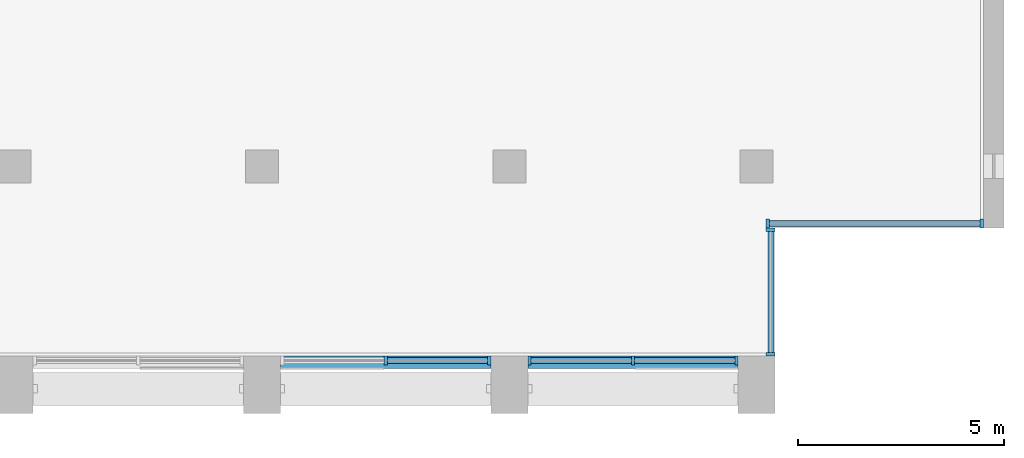
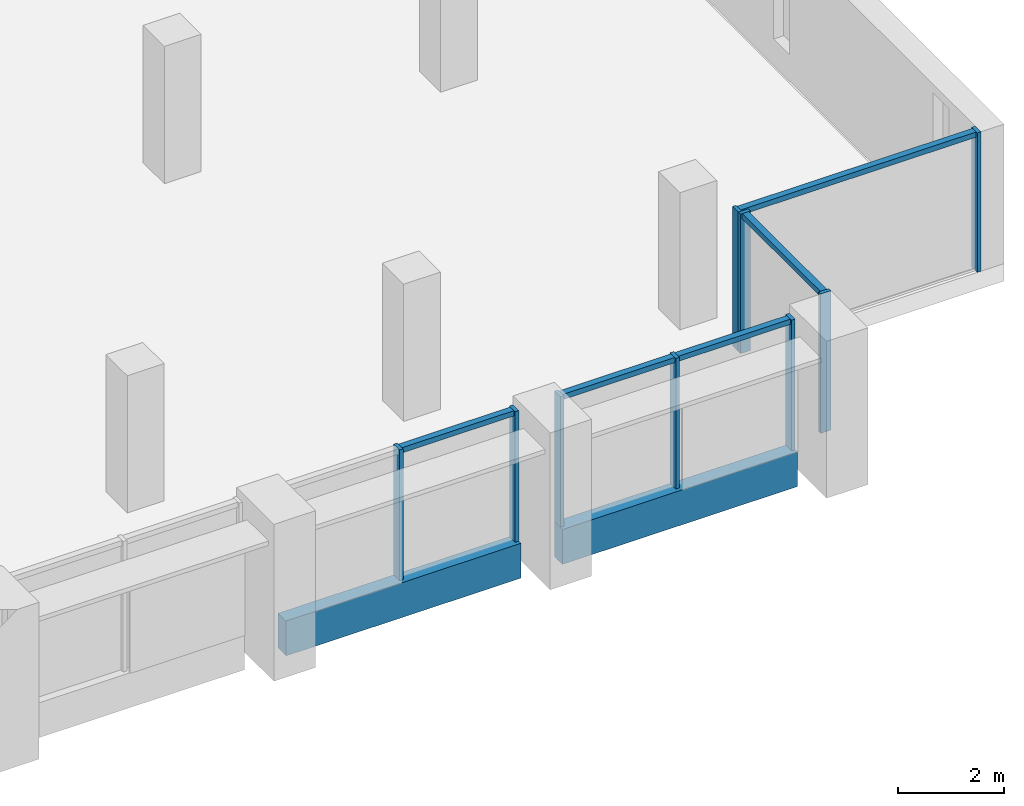
# One storey, part 3 of 14: 14 members, 2 beams, 4 elements without a shape of their own.
"""IFC4 building model written with IfcOpenShell, lengths in metres."""

from ifc_helpers import new_model, si_unit, direction, frame, origin, origin_2d, place, context, subcontext, project, spatial, rectangle, extrude, material, material_profile, profile_set, type_object, element, aggregate, save


model = new_model("IFC4")

# Units and contexts
model_context = context("Model", 3, precision=1e-05, world=origin(), true_north=direction((0.0, 1.0)))
body_context = subcontext(model_context, "Body", "Model", "MODEL_VIEW")
ifc_project = project(units=[si_unit("LENGTHUNIT", "METRE"), si_unit("AREAUNIT", "SQUARE_METRE"), si_unit("VOLUMEUNIT", "CUBIC_METRE"), si_unit("PLANEANGLEUNIT", "RADIAN"), si_unit("MASSUNIT", "GRAM", prefix="KILO")], contexts=[model_context])

# Site, building, storey
site_placement = place(None, origin())
site = spatial("IfcSite", under=ifc_project, at=site_placement, CompositionType="ELEMENT")
building_placement = place(site_placement, origin())
building = spatial("IfcBuilding", under=site, at=building_placement, Name="Calvaro Tower", CompositionType="ELEMENT")
storey_placement = place(building_placement, frame((0.0, 0.0, 262.14990234375)))
storey = spatial("IfcBuildingStorey", under=building, at=storey_placement, Name="L66", CompositionType="ELEMENT", Elevation=262.14990234375)

# Curtain wall, members
ifc_material_1 = material(Name="Anodised aluminium", Category="aluminium")
curtain_wall_type = type_object("IfcCurtainWallType", Name="Executive curtain wall", PredefinedType="NOTDEFINED", material=ifc_material_1)
curtain_wall_1_placement = place(storey_placement, origin())
curtain_wall_1 = element("IfcCurtainWall", 1, at=curtain_wall_1_placement, inside=storey, type_object=curtain_wall_type, Name="CW4 south curtain wall", PredefinedType="NOTDEFINED")
ifc_material_2 = material(Name="Anodised aluminium", Category="aluminium")
ifc_material_profile_1 = material_profile(ifc_material_2, rectangle(XDim=0.219970703125, YDim=0.080078125, at=origin_2d()), Name="Mullion S4 80 x 220")
ifc_profile_set_1 = profile_set([ifc_material_profile_1], Name="Anodised aluminium")
member_type_1 = type_object("IfcMemberType", Name="Mullion S4 80 x 220", PredefinedType="MULLION", material=ifc_profile_set_1)
member_1_placement = place(storey_placement, frame((51.0, 5.2900390625, 0.0), z_axis=(0.0, 0.0, 1.0), x_axis=(0.0, 1.0, 0.0)))
member_1 = element("IfcMember", 2, at=member_1_placement, type_object=member_type_1, Name="CW4 mullion 2", PredefinedType="MULLION", context=body_context, shape_type="SweptSolid", body=[
    extrude(rectangle(XDim=0.219970703125, YDim=0.080078125, at=origin_2d()), origin(), (0.0, 0.0, 1.0), 3.0),
])
member_2_placement = place(storey_placement, frame((53.510009765625, 5.2900390625, 0.0), z_axis=(0.0, 0.0, 1.0), x_axis=(0.0, 1.0, 0.0)))
member_2 = element("IfcMember", 3, at=member_2_placement, type_object=member_type_1, Name="CW4 mullion 3", PredefinedType="MULLION", context=body_context, shape_type="SweptSolid", body=[
    extrude(rectangle(XDim=0.219970703125, YDim=0.080078125, at=origin_2d()), origin(), (0.0, 0.0, 1.0), 3.0),
])

curtain_wall_2_placement = place(storey_placement, origin())
curtain_wall_2 = element("IfcCurtainWall", 4, at=curtain_wall_2_placement, inside=storey, type_object=curtain_wall_type, Name="CW4 south curtain wall", PredefinedType="NOTDEFINED")
member_3_placement = place(storey_placement, frame((54.489990234375, 5.2900390625, 0.0), z_axis=(0.0, 0.0, 1.0), x_axis=(0.0, 1.0, 0.0)))
member_3 = element("IfcMember", 5, at=member_3_placement, type_object=member_type_1, Name="CW4 mullion 1", PredefinedType="MULLION", context=body_context, shape_type="SweptSolid", body=[
    extrude(rectangle(XDim=0.219970703125, YDim=0.080078125, at=origin_2d()), origin(), (0.0, 0.0, 1.0), 3.0),
])
member_4_placement = place(storey_placement, frame((57.0, 5.2900390625, 0.0), z_axis=(0.0, 0.0, 1.0), x_axis=(0.0, 1.0, 0.0)))
member_4 = element("IfcMember", 6, at=member_4_placement, type_object=member_type_1, Name="CW4 mullion 2", PredefinedType="MULLION", context=body_context, shape_type="SweptSolid", body=[
    extrude(rectangle(XDim=0.219970703125, YDim=0.080078125, at=origin_2d()), origin(), (0.0, 0.0, 1.0), 3.0),
])
member_5_placement = place(storey_placement, frame((59.510009765625, 5.2900390625, 0.0), z_axis=(0.0, 0.0, 1.0), x_axis=(0.0, 1.0, 0.0)))
member_5 = element("IfcMember", 7, at=member_5_placement, type_object=member_type_1, Name="CW4 mullion 3", PredefinedType="MULLION", context=body_context, shape_type="SweptSolid", body=[
    extrude(rectangle(XDim=0.219970703125, YDim=0.080078125, at=origin_2d()), origin(), (0.0, 0.0, 1.0), 3.0),
])

curtain_wall_3_placement = place(storey_placement, origin())
curtain_wall_3 = element("IfcCurtainWall", 8, at=curtain_wall_3_placement, inside=storey, type_object=curtain_wall_type, Name="CW4 corner curtain wall", PredefinedType="NOTDEFINED")
member_6_placement = place(storey_placement, frame((60.340087890625, 5.43994140625, 0.0), z_axis=(0.0, 0.0, 1.0), x_axis=(-1.0, 0.0, 0.0)))
member_6 = element("IfcMember", 9, at=member_6_placement, type_object=member_type_1, Name="CW4 mullion 1", PredefinedType="MULLION", context=body_context, shape_type="SweptSolid", body=[
    extrude(rectangle(XDim=0.219970703125, YDim=0.080078125, at=origin_2d()), origin(), (0.0, 0.0, 1.0), 3.2001953125),
])
member_7_placement = place(storey_placement, frame((60.340087890625, 8.4599609375, 0.0), z_axis=(0.0, 0.0, 1.0), x_axis=(-1.0, 0.0, 0.0)))
member_7 = element("IfcMember", 10, at=member_7_placement, type_object=member_type_1, Name="CW4 mullion 2", PredefinedType="MULLION", context=body_context, shape_type="SweptSolid", body=[
    extrude(rectangle(XDim=0.219970703125, YDim=0.080078125, at=origin_2d()), origin(), (0.0, 0.0, 1.0), 3.2001953125),
])

curtain_wall_4_placement = place(storey_placement, origin())
curtain_wall_4 = element("IfcCurtainWall", 11, at=curtain_wall_4_placement, inside=storey, type_object=curtain_wall_type, Name="CW4 corner curtain wall", PredefinedType="NOTDEFINED")
member_8_placement = place(storey_placement, frame((60.27001953125, 8.610107421875, 0.0), z_axis=(0.0, 0.0, 1.0), x_axis=(0.0, 1.0, 0.0)))
member_8 = element("IfcMember", 12, at=member_8_placement, type_object=member_type_1, Name="CW4 mullion 1", PredefinedType="MULLION", context=body_context, shape_type="SweptSolid", body=[
    extrude(rectangle(XDim=0.219970703125, YDim=0.080078125, at=origin_2d()), origin(), (0.0, 0.0, 1.0), 3.2001953125),
])
member_9_placement = place(storey_placement, frame((65.4599609375, 8.610107421875, 0.0), z_axis=(0.0, 0.0, 1.0), x_axis=(0.0, 1.0, 0.0)))
member_9 = element("IfcMember", 13, at=member_9_placement, type_object=member_type_1, Name="CW4 mullion 2", PredefinedType="MULLION", context=body_context, shape_type="SweptSolid", body=[
    extrude(rectangle(XDim=0.219970703125, YDim=0.080078125, at=origin_2d()), origin(), (0.0, 0.0, 1.0), 3.2001953125),
])

# Beams
ifc_material_3 = material(Name="Concrete C50/60 precast", Category="concrete")
ifc_material_profile_2 = material_profile(ifc_material_3, rectangle(XDim=0.300048828125, YDim=0.800048828125, at=origin_2d()), Name="RC 300x800")
ifc_profile_set_2 = profile_set([ifc_material_profile_2], Name="Concrete C50/60 precast")
beam_type = type_object("IfcBeamType", Name="Spandrel beam 300x800 C50/60", PredefinedType="SPANDREL", material=ifc_profile_set_2)
for number, where, z_axis, x_axis, name in (
    (14, (48.449951171875, 5.25, -0.39990234375), (1.0, 0.0, 0.0), (0.0, 1.0, 0.0), "Spandrel beam"),
    (15, (54.449951171875, 5.25, -0.39990234375), (1.0, 0.0, 0.0), (0.0, 1.0, 0.0), "Spandrel beam"),
):
    element("IfcBeam", number, at=place(storey_placement, frame(where, z_axis=z_axis, x_axis=x_axis)), inside=storey, type_object=beam_type, Name=name, PredefinedType="SPANDREL", context=body_context, shape_type="SweptSolid", body=[
        extrude(rectangle(XDim=0.300048828125, YDim=0.800048828125, at=origin_2d()), origin(), (0.0, 0.0, 1.0), 5.10009765625),
    ])

# Member
ifc_material_4 = material(Name="Anodised aluminium", Category="aluminium")
ifc_material_profile_3 = material_profile(ifc_material_4, rectangle(XDim=0.139892578125, YDim=0.1201171875, at=origin_2d()), Name="Transom S4 120 x 140")
ifc_profile_set_3 = profile_set([ifc_material_profile_3], Name="Anodised aluminium")
member_type_2 = type_object("IfcMemberType", Name="Transom S4 120 x 140", PredefinedType="USERDEFINED", material=ifc_profile_set_3)
member_10_placement = place(storey_placement, frame((51.0400390625, 5.2900390625, 2.940185546875), z_axis=(1.0, 0.0, 0.0), x_axis=(0.0, 1.0, 0.0)))
member_10 = element("IfcMember", 16, at=member_10_placement, type_object=member_type_2, Name="CW4 transom 2.1", ObjectType="TRANSOM", PredefinedType="USERDEFINED", context=body_context, shape_type="SweptSolid", body=[
    extrude(rectangle(XDim=0.139892578125, YDim=0.1201171875, at=origin_2d()), origin(), (0.0, 0.0, 1.0), 2.429931640625),
])

aggregate(curtain_wall_1, [member_1, member_2, member_10])

member_11_placement = place(storey_placement, frame((54.530029296875, 5.2900390625, 2.940185546875), z_axis=(1.0, 0.0, 0.0), x_axis=(0.0, 1.0, 0.0)))
member_11 = element("IfcMember", 17, at=member_11_placement, type_object=member_type_2, Name="CW4 transom 1.1", ObjectType="TRANSOM", PredefinedType="USERDEFINED", context=body_context, shape_type="SweptSolid", body=[
    extrude(rectangle(XDim=0.139892578125, YDim=0.1201171875, at=origin_2d()), origin(), (0.0, 0.0, 1.0), 2.429931640625),
])

member_12_placement = place(storey_placement, frame((57.0400390625, 5.2900390625, 2.940185546875), z_axis=(1.0, 0.0, 0.0), x_axis=(0.0, 1.0, 0.0)))
member_12 = element("IfcMember", 18, at=member_12_placement, type_object=member_type_2, Name="CW4 transom 2.1", ObjectType="TRANSOM", PredefinedType="USERDEFINED", context=body_context, shape_type="SweptSolid", body=[
    extrude(rectangle(XDim=0.139892578125, YDim=0.1201171875, at=origin_2d()), origin(), (0.0, 0.0, 1.0), 2.429931640625),
])

aggregate(curtain_wall_2, [member_3, member_4, member_5, member_11, member_12])

member_13_placement = place(storey_placement, frame((60.340087890625, 5.47998046875, 3.14013671875), z_axis=(0.0, 1.0, 0.0), x_axis=(-1.0, 0.0, 0.0)))
member_13 = element("IfcMember", 19, at=member_13_placement, type_object=member_type_2, Name="CW4 transom 1.1", ObjectType="TRANSOM", PredefinedType="USERDEFINED", context=body_context, shape_type="SweptSolid", body=[
    extrude(rectangle(XDim=0.139892578125, YDim=0.1201171875, at=origin_2d()), origin(), (0.0, 0.0, 1.0), 2.93994140625),
])

aggregate(curtain_wall_3, [member_6, member_7, member_13])

member_14_placement = place(storey_placement, frame((60.31005859375, 8.610107421875, 3.14013671875), z_axis=(1.0, 0.0, 0.0), x_axis=(0.0, 1.0, 0.0)))
member_14 = element("IfcMember", 20, at=member_14_placement, type_object=member_type_2, Name="CW4 transom 1.1", ObjectType="TRANSOM", PredefinedType="USERDEFINED", context=body_context, shape_type="SweptSolid", body=[
    extrude(rectangle(XDim=0.139892578125, YDim=0.1201171875, at=origin_2d()), origin(), (0.0, 0.0, 1.0), 5.10986328125),
])

aggregate(curtain_wall_4, [member_8, member_9, member_14])

save(model, "model.ifc")
